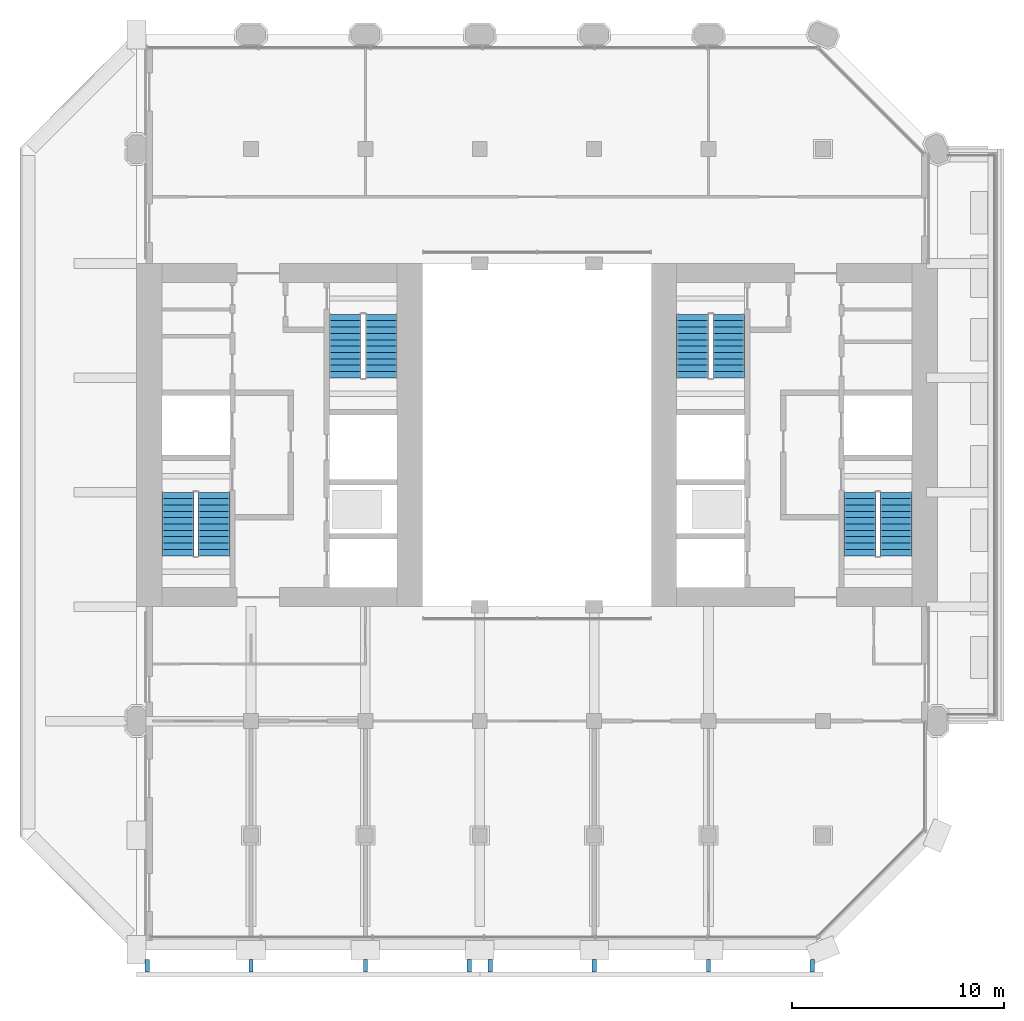
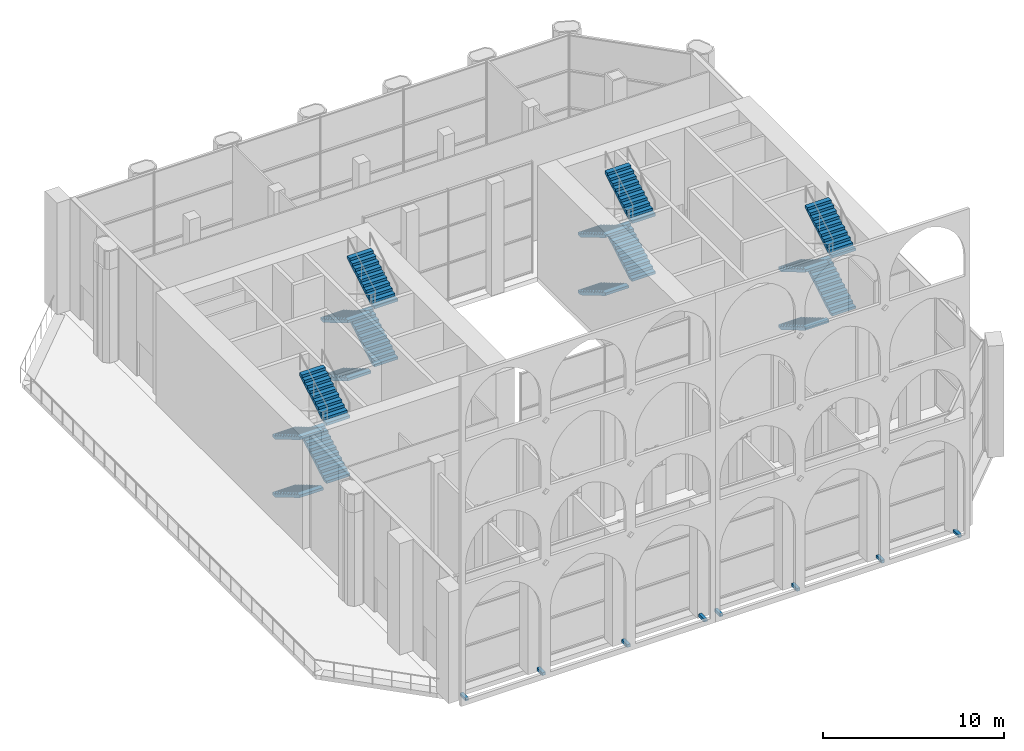
# One storey, part 12 of 20: 16 stair flights, 8 discrete accessories, 4 elements without a shape of their own.
"""IFC4 building model written with IfcOpenShell, lengths in metres."""

from ifc_helpers import new_model, si_unit, direction, frame, origin, origin_2d, place, context, subcontext, project, spatial, polyline, rectangle, outline, extrude, material, type_object, element, aggregate, save


model = new_model("IFC4")

# Units and contexts
model_context = context("Model", 3, precision=1e-05, world=origin(), true_north=direction((0.0, 1.0)))
body_context = subcontext(model_context, "Body", "Model", "MODEL_VIEW")
ifc_project = project(units=[si_unit("LENGTHUNIT", "METRE"), si_unit("AREAUNIT", "SQUARE_METRE"), si_unit("VOLUMEUNIT", "CUBIC_METRE"), si_unit("PLANEANGLEUNIT", "RADIAN"), si_unit("MASSUNIT", "GRAM", prefix="KILO")], contexts=[model_context])

# Site, building, storey
site_placement = place(None, origin())
site = spatial("IfcSite", under=ifc_project, at=site_placement, CompositionType="ELEMENT")
building_placement = place(site_placement, origin())
building = spatial("IfcBuilding", under=site, at=building_placement, Name="Tabaq Tower and Sports Hall", CompositionType="ELEMENT")
storey_placement = place(building_placement, frame((0.0, 0.0, 243.10009765625)))
storey = spatial("IfcBuildingStorey", under=building, at=storey_placement, Name="L60", CompositionType="ELEMENT", Elevation=243.10009765625)

# Stair, stair flights
ifc_material_1 = material(Name="Concrete C40/50", Category="concrete")
stair_type = type_object("IfcStairType", Name="Exit stair", PredefinedType="HALF_TURN_STAIR", material=ifc_material_1)
stair_1_placement = place(storey_placement, origin())
stair_1 = element("IfcStair", 1, at=stair_1_placement, inside=storey, type_object=stair_type, Name="L60 Exit stair ST1", PredefinedType="HALF_TURN_STAIR")
ifc_material_2 = material(Name="Concrete C40/50", Category="concrete")
stair_flight_type = type_object("IfcStairFlightType", Name="Exit stair flight", PredefinedType="STRAIGHT", material=ifc_material_2)
stair_flight_1_placement = place(storey_placement, frame((7.35009765625, 21.60009765625, 0.0), z_axis=(0.0, 0.0, 1.0), x_axis=(0.0, -1.0, 0.0)))
stair_flight_1 = element("IfcStairFlight", 2, at=stair_flight_1_placement, type_object=stair_flight_type, Name="ST1 flight 1", NumberOfRisers=11, NumberOfTreads=10, PredefinedType="STRAIGHT", RiserHeight=0.177272727, TreadLength=0.3, context=body_context, shape_type="SweptSolid", body=[
    extrude(outline(polyline([(0.0, 0.0), (0.0, 0.17724609375), (0.300048828125, 0.17724609375), (0.300048828125, 0.3544921875), (0.60009765625, 0.3544921875), (0.60009765625, 0.53173828125), (0.89990234375, 0.53173828125), (0.89990234375, 0.708984375), (1.199951171875, 0.708984375), (1.199951171875, 0.886474609375), (1.5, 0.886474609375), (1.5, 1.063720703125), (1.800048828125, 1.063720703125), (1.800048828125, 1.240966796875), (2.10009765625, 1.240966796875), (2.10009765625, 1.418212890625), (2.39990234375, 1.418212890625), (2.39990234375, 1.595458984375), (2.699951171875, 1.595458984375), (2.699951171875, 1.772705078125), (3.0, 1.772705078125), (3.0, 1.949951171875), (3.0, 1.5986328125), (0.294677734375, 0.0), (0.0, 0.0)])), frame((0.0, 0.75, 0.0), z_axis=(0.0, -1.0, 0.0), x_axis=(1.0, 0.0, 0.0)), (0.0, 0.0, 1.0), 1.5),
])
stair_flight_2_placement = place(storey_placement, frame((9.050048828125, 18.60009765625, 1.949951171875), z_axis=(0.0, 0.0, 1.0), x_axis=(0.0, 1.0, 0.0)))
stair_flight_2 = element("IfcStairFlight", 3, at=stair_flight_2_placement, type_object=stair_flight_type, Name="ST1 flight 2", NumberOfRisers=11, NumberOfTreads=10, PredefinedType="STRAIGHT", RiserHeight=0.177272727, TreadLength=0.3, context=body_context, shape_type="SweptSolid", body=[
    extrude(outline(polyline([(0.0, 0.0), (0.0, 0.17724609375), (0.300048828125, 0.17724609375), (0.300048828125, 0.3544921875), (0.60009765625, 0.3544921875), (0.60009765625, 0.53173828125), (0.89990234375, 0.53173828125), (0.89990234375, 0.708984375), (1.199951171875, 0.708984375), (1.199951171875, 0.886474609375), (1.5, 0.886474609375), (1.5, 1.063720703125), (1.800048828125, 1.063720703125), (1.800048828125, 1.240966796875), (2.10009765625, 1.240966796875), (2.10009765625, 1.418212890625), (2.39990234375, 1.418212890625), (2.39990234375, 1.595458984375), (2.699951171875, 1.595458984375), (2.699951171875, 1.772705078125), (3.0, 1.772705078125), (3.0, 1.949951171875), (3.0, 1.5986328125), (0.294677734375, 0.0), (0.0, 0.0)])), frame((0.0, 0.75, 0.0), z_axis=(0.0, -1.0, 0.0), x_axis=(1.0, 0.0, 0.0)), (0.0, 0.0, 1.0), 1.5),
])
stair_flight_3_placement = place(storey_placement, frame((7.35009765625, 21.60009765625, 3.89990234375), z_axis=(0.0, 0.0, 1.0), x_axis=(0.0, -1.0, 0.0)))
stair_flight_3 = element("IfcStairFlight", 4, at=stair_flight_3_placement, type_object=stair_flight_type, Name="ST1 flight 3", NumberOfRisers=11, NumberOfTreads=10, PredefinedType="STRAIGHT", RiserHeight=0.177272727, TreadLength=0.3, context=body_context, shape_type="SweptSolid", body=[
    extrude(outline(polyline([(0.0, 0.0), (0.0, 0.17724609375), (0.300048828125, 0.17724609375), (0.300048828125, 0.3544921875), (0.60009765625, 0.3544921875), (0.60009765625, 0.53173828125), (0.89990234375, 0.53173828125), (0.89990234375, 0.708984375), (1.199951171875, 0.708984375), (1.199951171875, 0.886474609375), (1.5, 0.886474609375), (1.5, 1.063720703125), (1.800048828125, 1.063720703125), (1.800048828125, 1.240966796875), (2.10009765625, 1.240966796875), (2.10009765625, 1.418212890625), (2.39990234375, 1.418212890625), (2.39990234375, 1.595458984375), (2.699951171875, 1.595458984375), (2.699951171875, 1.772705078125), (3.0, 1.772705078125), (3.0, 1.949951171875), (3.0, 1.5986328125), (0.294677734375, 0.0), (0.0, 0.0)])), frame((0.0, 0.75, 0.0), z_axis=(0.0, -1.0, 0.0), x_axis=(1.0, 0.0, 0.0)), (0.0, 0.0, 1.0), 1.5),
])
stair_flight_4_placement = place(storey_placement, frame((9.050048828125, 18.60009765625, 5.849853515625), z_axis=(0.0, 0.0, 1.0), x_axis=(0.0, 1.0, 0.0)))
stair_flight_4 = element("IfcStairFlight", 5, at=stair_flight_4_placement, type_object=stair_flight_type, Name="ST1 flight 4", NumberOfRisers=11, NumberOfTreads=10, PredefinedType="STRAIGHT", RiserHeight=0.177272727, TreadLength=0.3, context=body_context, shape_type="SweptSolid", body=[
    extrude(outline(polyline([(0.0, 0.0), (0.0, 0.17724609375), (0.300048828125, 0.17724609375), (0.300048828125, 0.3544921875), (0.60009765625, 0.3544921875), (0.60009765625, 0.53173828125), (0.89990234375, 0.53173828125), (0.89990234375, 0.708984375), (1.199951171875, 0.708984375), (1.199951171875, 0.886474609375), (1.5, 0.886474609375), (1.5, 1.063720703125), (1.800048828125, 1.063720703125), (1.800048828125, 1.240966796875), (2.10009765625, 1.240966796875), (2.10009765625, 1.418212890625), (2.39990234375, 1.418212890625), (2.39990234375, 1.595458984375), (2.699951171875, 1.595458984375), (2.699951171875, 1.772705078125), (3.0, 1.772705078125), (3.0, 1.949951171875), (3.0, 1.5986328125), (0.294677734375, 0.0), (0.0, 0.0)])), frame((0.0, 0.75, 0.0), z_axis=(0.0, -1.0, 0.0), x_axis=(1.0, 0.0, 0.0)), (0.0, 0.0, 1.0), 1.5),
])
aggregate(stair_1, [stair_flight_1, stair_flight_2, stair_flight_3, stair_flight_4])

stair_2_placement = place(storey_placement, origin())
stair_2 = element("IfcStair", 6, at=stair_2_placement, inside=storey, type_object=stair_type, Name="L60 Exit stair ST2", PredefinedType="HALF_TURN_STAIR")
stair_flight_5_placement = place(storey_placement, frame((15.25, 30.0, 0.0), z_axis=(0.0, 0.0, 1.0), x_axis=(0.0, -1.0, 0.0)))
stair_flight_5 = element("IfcStairFlight", 7, at=stair_flight_5_placement, type_object=stair_flight_type, Name="ST2 flight 1", NumberOfRisers=11, NumberOfTreads=10, PredefinedType="STRAIGHT", RiserHeight=0.177272727, TreadLength=0.3, context=body_context, shape_type="SweptSolid", body=[
    extrude(outline(polyline([(0.0, 0.0), (0.0, 0.17724609375), (0.300048828125, 0.17724609375), (0.300048828125, 0.3544921875), (0.60009765625, 0.3544921875), (0.60009765625, 0.53173828125), (0.89990234375, 0.53173828125), (0.89990234375, 0.708984375), (1.199951171875, 0.708984375), (1.199951171875, 0.886474609375), (1.5, 0.886474609375), (1.5, 1.063720703125), (1.800048828125, 1.063720703125), (1.800048828125, 1.240966796875), (2.10009765625, 1.240966796875), (2.10009765625, 1.418212890625), (2.39990234375, 1.418212890625), (2.39990234375, 1.595458984375), (2.699951171875, 1.595458984375), (2.699951171875, 1.772705078125), (3.0, 1.772705078125), (3.0, 1.949951171875), (3.0, 1.5986328125), (0.294677734375, 0.0), (0.0, 0.0)])), frame((0.0, 0.75, 0.0), z_axis=(0.0, -1.0, 0.0), x_axis=(1.0, 0.0, 0.0)), (0.0, 0.0, 1.0), 1.5),
])
stair_flight_6_placement = place(storey_placement, frame((16.949951171875, 27.0, 1.949951171875), z_axis=(0.0, 0.0, 1.0), x_axis=(0.0, 1.0, 0.0)))
stair_flight_6 = element("IfcStairFlight", 8, at=stair_flight_6_placement, type_object=stair_flight_type, Name="ST2 flight 2", NumberOfRisers=11, NumberOfTreads=10, PredefinedType="STRAIGHT", RiserHeight=0.177272727, TreadLength=0.3, context=body_context, shape_type="SweptSolid", body=[
    extrude(outline(polyline([(0.0, 0.0), (0.0, 0.17724609375), (0.300048828125, 0.17724609375), (0.300048828125, 0.3544921875), (0.60009765625, 0.3544921875), (0.60009765625, 0.53173828125), (0.89990234375, 0.53173828125), (0.89990234375, 0.708984375), (1.199951171875, 0.708984375), (1.199951171875, 0.886474609375), (1.5, 0.886474609375), (1.5, 1.063720703125), (1.800048828125, 1.063720703125), (1.800048828125, 1.240966796875), (2.10009765625, 1.240966796875), (2.10009765625, 1.418212890625), (2.39990234375, 1.418212890625), (2.39990234375, 1.595458984375), (2.699951171875, 1.595458984375), (2.699951171875, 1.772705078125), (3.0, 1.772705078125), (3.0, 1.949951171875), (3.0, 1.5986328125), (0.294677734375, 0.0), (0.0, 0.0)])), frame((0.0, 0.75, 0.0), z_axis=(0.0, -1.0, 0.0), x_axis=(1.0, 0.0, 0.0)), (0.0, 0.0, 1.0), 1.5),
])
stair_flight_7_placement = place(storey_placement, frame((15.25, 30.0, 3.89990234375), z_axis=(0.0, 0.0, 1.0), x_axis=(0.0, -1.0, 0.0)))
stair_flight_7 = element("IfcStairFlight", 9, at=stair_flight_7_placement, type_object=stair_flight_type, Name="ST2 flight 3", NumberOfRisers=11, NumberOfTreads=10, PredefinedType="STRAIGHT", RiserHeight=0.177272727, TreadLength=0.3, context=body_context, shape_type="SweptSolid", body=[
    extrude(outline(polyline([(0.0, 0.0), (0.0, 0.17724609375), (0.300048828125, 0.17724609375), (0.300048828125, 0.3544921875), (0.60009765625, 0.3544921875), (0.60009765625, 0.53173828125), (0.89990234375, 0.53173828125), (0.89990234375, 0.708984375), (1.199951171875, 0.708984375), (1.199951171875, 0.886474609375), (1.5, 0.886474609375), (1.5, 1.063720703125), (1.800048828125, 1.063720703125), (1.800048828125, 1.240966796875), (2.10009765625, 1.240966796875), (2.10009765625, 1.418212890625), (2.39990234375, 1.418212890625), (2.39990234375, 1.595458984375), (2.699951171875, 1.595458984375), (2.699951171875, 1.772705078125), (3.0, 1.772705078125), (3.0, 1.949951171875), (3.0, 1.5986328125), (0.294677734375, 0.0), (0.0, 0.0)])), frame((0.0, 0.75, 0.0), z_axis=(0.0, -1.0, 0.0), x_axis=(1.0, 0.0, 0.0)), (0.0, 0.0, 1.0), 1.5),
])
stair_flight_8_placement = place(storey_placement, frame((16.949951171875, 27.0, 5.849853515625), z_axis=(0.0, 0.0, 1.0), x_axis=(0.0, 1.0, 0.0)))
stair_flight_8 = element("IfcStairFlight", 10, at=stair_flight_8_placement, type_object=stair_flight_type, Name="ST2 flight 4", NumberOfRisers=11, NumberOfTreads=10, PredefinedType="STRAIGHT", RiserHeight=0.177272727, TreadLength=0.3, context=body_context, shape_type="SweptSolid", body=[
    extrude(outline(polyline([(0.0, 0.0), (0.0, 0.17724609375), (0.300048828125, 0.17724609375), (0.300048828125, 0.3544921875), (0.60009765625, 0.3544921875), (0.60009765625, 0.53173828125), (0.89990234375, 0.53173828125), (0.89990234375, 0.708984375), (1.199951171875, 0.708984375), (1.199951171875, 0.886474609375), (1.5, 0.886474609375), (1.5, 1.063720703125), (1.800048828125, 1.063720703125), (1.800048828125, 1.240966796875), (2.10009765625, 1.240966796875), (2.10009765625, 1.418212890625), (2.39990234375, 1.418212890625), (2.39990234375, 1.595458984375), (2.699951171875, 1.595458984375), (2.699951171875, 1.772705078125), (3.0, 1.772705078125), (3.0, 1.949951171875), (3.0, 1.5986328125), (0.294677734375, 0.0), (0.0, 0.0)])), frame((0.0, 0.75, 0.0), z_axis=(0.0, -1.0, 0.0), x_axis=(1.0, 0.0, 0.0)), (0.0, 0.0, 1.0), 1.5),
])
aggregate(stair_2, [stair_flight_5, stair_flight_6, stair_flight_7, stair_flight_8])

stair_3_placement = place(storey_placement, origin())
stair_3 = element("IfcStair", 11, at=stair_3_placement, inside=storey, type_object=stair_type, Name="L60 Exit stair ST3", PredefinedType="HALF_TURN_STAIR")
stair_flight_9_placement = place(storey_placement, frame((39.550048828125, 21.60009765625, 0.0), z_axis=(0.0, 0.0, 1.0), x_axis=(0.0, -1.0, 0.0)))
stair_flight_9 = element("IfcStairFlight", 12, at=stair_flight_9_placement, type_object=stair_flight_type, Name="ST3 flight 1", NumberOfRisers=11, NumberOfTreads=10, PredefinedType="STRAIGHT", RiserHeight=0.177272727, TreadLength=0.3, context=body_context, shape_type="SweptSolid", body=[
    extrude(outline(polyline([(0.0, 0.0), (0.0, 0.17724609375), (0.300048828125, 0.17724609375), (0.300048828125, 0.3544921875), (0.60009765625, 0.3544921875), (0.60009765625, 0.53173828125), (0.89990234375, 0.53173828125), (0.89990234375, 0.708984375), (1.199951171875, 0.708984375), (1.199951171875, 0.886474609375), (1.5, 0.886474609375), (1.5, 1.063720703125), (1.800048828125, 1.063720703125), (1.800048828125, 1.240966796875), (2.10009765625, 1.240966796875), (2.10009765625, 1.418212890625), (2.39990234375, 1.418212890625), (2.39990234375, 1.595458984375), (2.699951171875, 1.595458984375), (2.699951171875, 1.772705078125), (3.0, 1.772705078125), (3.0, 1.949951171875), (3.0, 1.5986328125), (0.294677734375, 0.0), (0.0, 0.0)])), frame((0.0, 0.75, 0.0), z_axis=(0.0, -1.0, 0.0), x_axis=(1.0, 0.0, 0.0)), (0.0, 0.0, 1.0), 1.5),
])
stair_flight_10_placement = place(storey_placement, frame((41.25, 18.60009765625, 1.949951171875), z_axis=(0.0, 0.0, 1.0), x_axis=(0.0, 1.0, 0.0)))
stair_flight_10 = element("IfcStairFlight", 13, at=stair_flight_10_placement, type_object=stair_flight_type, Name="ST3 flight 2", NumberOfRisers=11, NumberOfTreads=10, PredefinedType="STRAIGHT", RiserHeight=0.177272727, TreadLength=0.3, context=body_context, shape_type="SweptSolid", body=[
    extrude(outline(polyline([(0.0, 0.0), (0.0, 0.17724609375), (0.300048828125, 0.17724609375), (0.300048828125, 0.3544921875), (0.60009765625, 0.3544921875), (0.60009765625, 0.53173828125), (0.89990234375, 0.53173828125), (0.89990234375, 0.708984375), (1.199951171875, 0.708984375), (1.199951171875, 0.886474609375), (1.5, 0.886474609375), (1.5, 1.063720703125), (1.800048828125, 1.063720703125), (1.800048828125, 1.240966796875), (2.10009765625, 1.240966796875), (2.10009765625, 1.418212890625), (2.39990234375, 1.418212890625), (2.39990234375, 1.595458984375), (2.699951171875, 1.595458984375), (2.699951171875, 1.772705078125), (3.0, 1.772705078125), (3.0, 1.949951171875), (3.0, 1.5986328125), (0.294677734375, 0.0), (0.0, 0.0)])), frame((0.0, 0.75, 0.0), z_axis=(0.0, -1.0, 0.0), x_axis=(1.0, 0.0, 0.0)), (0.0, 0.0, 1.0), 1.5),
])
stair_flight_11_placement = place(storey_placement, frame((39.550048828125, 21.60009765625, 3.89990234375), z_axis=(0.0, 0.0, 1.0), x_axis=(0.0, -1.0, 0.0)))
stair_flight_11 = element("IfcStairFlight", 14, at=stair_flight_11_placement, type_object=stair_flight_type, Name="ST3 flight 3", NumberOfRisers=11, NumberOfTreads=10, PredefinedType="STRAIGHT", RiserHeight=0.177272727, TreadLength=0.3, context=body_context, shape_type="SweptSolid", body=[
    extrude(outline(polyline([(0.0, 0.0), (0.0, 0.17724609375), (0.300048828125, 0.17724609375), (0.300048828125, 0.3544921875), (0.60009765625, 0.3544921875), (0.60009765625, 0.53173828125), (0.89990234375, 0.53173828125), (0.89990234375, 0.708984375), (1.199951171875, 0.708984375), (1.199951171875, 0.886474609375), (1.5, 0.886474609375), (1.5, 1.063720703125), (1.800048828125, 1.063720703125), (1.800048828125, 1.240966796875), (2.10009765625, 1.240966796875), (2.10009765625, 1.418212890625), (2.39990234375, 1.418212890625), (2.39990234375, 1.595458984375), (2.699951171875, 1.595458984375), (2.699951171875, 1.772705078125), (3.0, 1.772705078125), (3.0, 1.949951171875), (3.0, 1.5986328125), (0.294677734375, 0.0), (0.0, 0.0)])), frame((0.0, 0.75, 0.0), z_axis=(0.0, -1.0, 0.0), x_axis=(1.0, 0.0, 0.0)), (0.0, 0.0, 1.0), 1.5),
])
stair_flight_12_placement = place(storey_placement, frame((41.25, 18.60009765625, 5.849853515625), z_axis=(0.0, 0.0, 1.0), x_axis=(0.0, 1.0, 0.0)))
stair_flight_12 = element("IfcStairFlight", 15, at=stair_flight_12_placement, type_object=stair_flight_type, Name="ST3 flight 4", NumberOfRisers=11, NumberOfTreads=10, PredefinedType="STRAIGHT", RiserHeight=0.177272727, TreadLength=0.3, context=body_context, shape_type="SweptSolid", body=[
    extrude(outline(polyline([(0.0, 0.0), (0.0, 0.17724609375), (0.300048828125, 0.17724609375), (0.300048828125, 0.3544921875), (0.60009765625, 0.3544921875), (0.60009765625, 0.53173828125), (0.89990234375, 0.53173828125), (0.89990234375, 0.708984375), (1.199951171875, 0.708984375), (1.199951171875, 0.886474609375), (1.5, 0.886474609375), (1.5, 1.063720703125), (1.800048828125, 1.063720703125), (1.800048828125, 1.240966796875), (2.10009765625, 1.240966796875), (2.10009765625, 1.418212890625), (2.39990234375, 1.418212890625), (2.39990234375, 1.595458984375), (2.699951171875, 1.595458984375), (2.699951171875, 1.772705078125), (3.0, 1.772705078125), (3.0, 1.949951171875), (3.0, 1.5986328125), (0.294677734375, 0.0), (0.0, 0.0)])), frame((0.0, 0.75, 0.0), z_axis=(0.0, -1.0, 0.0), x_axis=(1.0, 0.0, 0.0)), (0.0, 0.0, 1.0), 1.5),
])
aggregate(stair_3, [stair_flight_9, stair_flight_10, stair_flight_11, stair_flight_12])

stair_4_placement = place(storey_placement, origin())
stair_4 = element("IfcStair", 16, at=stair_4_placement, inside=storey, type_object=stair_type, Name="L60 Exit stair ST4", PredefinedType="HALF_TURN_STAIR")
stair_flight_13_placement = place(storey_placement, frame((31.64990234375, 30.0, 0.0), z_axis=(0.0, 0.0, 1.0), x_axis=(0.0, -1.0, 0.0)))
stair_flight_13 = element("IfcStairFlight", 17, at=stair_flight_13_placement, type_object=stair_flight_type, Name="ST4 flight 1", NumberOfRisers=11, NumberOfTreads=10, PredefinedType="STRAIGHT", RiserHeight=0.177272727, TreadLength=0.3, context=body_context, shape_type="SweptSolid", body=[
    extrude(outline(polyline([(0.0, 0.0), (0.0, 0.17724609375), (0.300048828125, 0.17724609375), (0.300048828125, 0.3544921875), (0.60009765625, 0.3544921875), (0.60009765625, 0.53173828125), (0.89990234375, 0.53173828125), (0.89990234375, 0.708984375), (1.199951171875, 0.708984375), (1.199951171875, 0.886474609375), (1.5, 0.886474609375), (1.5, 1.063720703125), (1.800048828125, 1.063720703125), (1.800048828125, 1.240966796875), (2.10009765625, 1.240966796875), (2.10009765625, 1.418212890625), (2.39990234375, 1.418212890625), (2.39990234375, 1.595458984375), (2.699951171875, 1.595458984375), (2.699951171875, 1.772705078125), (3.0, 1.772705078125), (3.0, 1.949951171875), (3.0, 1.5986328125), (0.294677734375, 0.0), (0.0, 0.0)])), frame((0.0, 0.75, 0.0), z_axis=(0.0, -1.0, 0.0), x_axis=(1.0, 0.0, 0.0)), (0.0, 0.0, 1.0), 1.5),
])
stair_flight_14_placement = place(storey_placement, frame((33.35009765625, 27.0, 1.949951171875), z_axis=(0.0, 0.0, 1.0), x_axis=(0.0, 1.0, 0.0)))
stair_flight_14 = element("IfcStairFlight", 18, at=stair_flight_14_placement, type_object=stair_flight_type, Name="ST4 flight 2", NumberOfRisers=11, NumberOfTreads=10, PredefinedType="STRAIGHT", RiserHeight=0.177272727, TreadLength=0.3, context=body_context, shape_type="SweptSolid", body=[
    extrude(outline(polyline([(0.0, 0.0), (0.0, 0.17724609375), (0.300048828125, 0.17724609375), (0.300048828125, 0.3544921875), (0.60009765625, 0.3544921875), (0.60009765625, 0.53173828125), (0.89990234375, 0.53173828125), (0.89990234375, 0.708984375), (1.199951171875, 0.708984375), (1.199951171875, 0.886474609375), (1.5, 0.886474609375), (1.5, 1.063720703125), (1.800048828125, 1.063720703125), (1.800048828125, 1.240966796875), (2.10009765625, 1.240966796875), (2.10009765625, 1.418212890625), (2.39990234375, 1.418212890625), (2.39990234375, 1.595458984375), (2.699951171875, 1.595458984375), (2.699951171875, 1.772705078125), (3.0, 1.772705078125), (3.0, 1.949951171875), (3.0, 1.5986328125), (0.294677734375, 0.0), (0.0, 0.0)])), frame((0.0, 0.75, 0.0), z_axis=(0.0, -1.0, 0.0), x_axis=(1.0, 0.0, 0.0)), (0.0, 0.0, 1.0), 1.5),
])
stair_flight_15_placement = place(storey_placement, frame((31.64990234375, 30.0, 3.89990234375), z_axis=(0.0, 0.0, 1.0), x_axis=(0.0, -1.0, 0.0)))
stair_flight_15 = element("IfcStairFlight", 19, at=stair_flight_15_placement, type_object=stair_flight_type, Name="ST4 flight 3", NumberOfRisers=11, NumberOfTreads=10, PredefinedType="STRAIGHT", RiserHeight=0.177272727, TreadLength=0.3, context=body_context, shape_type="SweptSolid", body=[
    extrude(outline(polyline([(0.0, 0.0), (0.0, 0.17724609375), (0.300048828125, 0.17724609375), (0.300048828125, 0.3544921875), (0.60009765625, 0.3544921875), (0.60009765625, 0.53173828125), (0.89990234375, 0.53173828125), (0.89990234375, 0.708984375), (1.199951171875, 0.708984375), (1.199951171875, 0.886474609375), (1.5, 0.886474609375), (1.5, 1.063720703125), (1.800048828125, 1.063720703125), (1.800048828125, 1.240966796875), (2.10009765625, 1.240966796875), (2.10009765625, 1.418212890625), (2.39990234375, 1.418212890625), (2.39990234375, 1.595458984375), (2.699951171875, 1.595458984375), (2.699951171875, 1.772705078125), (3.0, 1.772705078125), (3.0, 1.949951171875), (3.0, 1.5986328125), (0.294677734375, 0.0), (0.0, 0.0)])), frame((0.0, 0.75, 0.0), z_axis=(0.0, -1.0, 0.0), x_axis=(1.0, 0.0, 0.0)), (0.0, 0.0, 1.0), 1.5),
])
stair_flight_16_placement = place(storey_placement, frame((33.35009765625, 27.0, 5.849853515625), z_axis=(0.0, 0.0, 1.0), x_axis=(0.0, 1.0, 0.0)))
stair_flight_16 = element("IfcStairFlight", 20, at=stair_flight_16_placement, type_object=stair_flight_type, Name="ST4 flight 4", NumberOfRisers=11, NumberOfTreads=10, PredefinedType="STRAIGHT", RiserHeight=0.177272727, TreadLength=0.3, context=body_context, shape_type="SweptSolid", body=[
    extrude(outline(polyline([(0.0, 0.0), (0.0, 0.17724609375), (0.300048828125, 0.17724609375), (0.300048828125, 0.3544921875), (0.60009765625, 0.3544921875), (0.60009765625, 0.53173828125), (0.89990234375, 0.53173828125), (0.89990234375, 0.708984375), (1.199951171875, 0.708984375), (1.199951171875, 0.886474609375), (1.5, 0.886474609375), (1.5, 1.063720703125), (1.800048828125, 1.063720703125), (1.800048828125, 1.240966796875), (2.10009765625, 1.240966796875), (2.10009765625, 1.418212890625), (2.39990234375, 1.418212890625), (2.39990234375, 1.595458984375), (2.699951171875, 1.595458984375), (2.699951171875, 1.772705078125), (3.0, 1.772705078125), (3.0, 1.949951171875), (3.0, 1.5986328125), (0.294677734375, 0.0), (0.0, 0.0)])), frame((0.0, 0.75, 0.0), z_axis=(0.0, -1.0, 0.0), x_axis=(1.0, 0.0, 0.0)), (0.0, 0.0, 1.0), 1.5),
])
aggregate(stair_4, [stair_flight_13, stair_flight_14, stair_flight_15, stair_flight_16])

# Discrete accessories
for number, where, z_axis, x_axis, name in (
    (21, (5.89990234375, -0.75, 0.10009765625), (0.0, 0.0, 1.0), (0.0, -1.0, 0.0), "Stainless steel bracket"),
    (22, (10.800048828125, -0.75, 0.10009765625), (0.0, 0.0, 1.0), (0.0, -1.0, 0.0), "Stainless steel bracket"),
    (23, (16.199951171875, -0.75, 0.10009765625), (0.0, 0.0, 1.0), (0.0, -1.0, 0.0), "Stainless steel bracket"),
    (24, (21.10009765625, -0.75, 0.10009765625), (0.0, 0.0, 1.0), (0.0, -1.0, 0.0), "Stainless steel bracket"),
    (25, (22.10009765625, -0.75, 0.10009765625), (0.0, 0.0, 1.0), (0.0, -1.0, 0.0), "Stainless steel bracket"),
    (26, (27.0, -0.75, 0.10009765625), (0.0, 0.0, 1.0), (0.0, -1.0, 0.0), "Stainless steel bracket"),
    (27, (32.39990234375, -0.75, 0.10009765625), (0.0, 0.0, 1.0), (0.0, -1.0, 0.0), "Stainless steel bracket"),
    (28, (37.300048828125, -0.75, 0.10009765625), (0.0, 0.0, 1.0), (0.0, -1.0, 0.0), "Stainless steel bracket"),
):
    element("IfcDiscreteAccessory", number, at=place(storey_placement, frame(where, z_axis=z_axis, x_axis=x_axis)), inside=storey, Name=name, PredefinedType="BRACKET", context=body_context, shape_type="SweptSolid", body=[
        extrude(rectangle(XDim=0.60009765625, YDim=0.199951171875, at=origin_2d()), origin(), (0.0, 0.0, 1.0), 0.199951171875),
    ])

save(model, "model.ifc")
